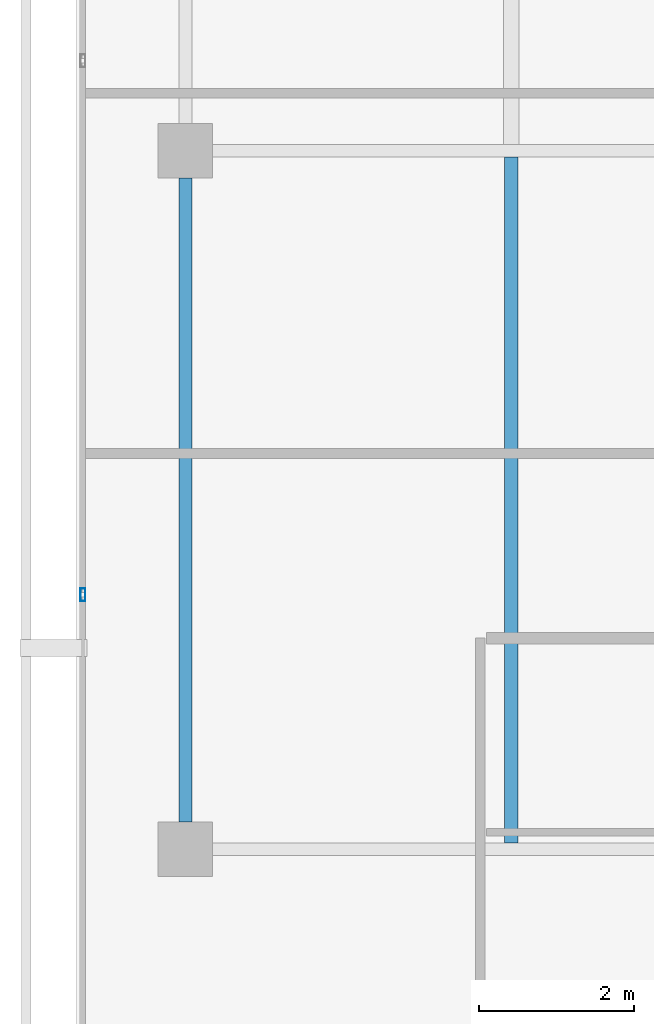
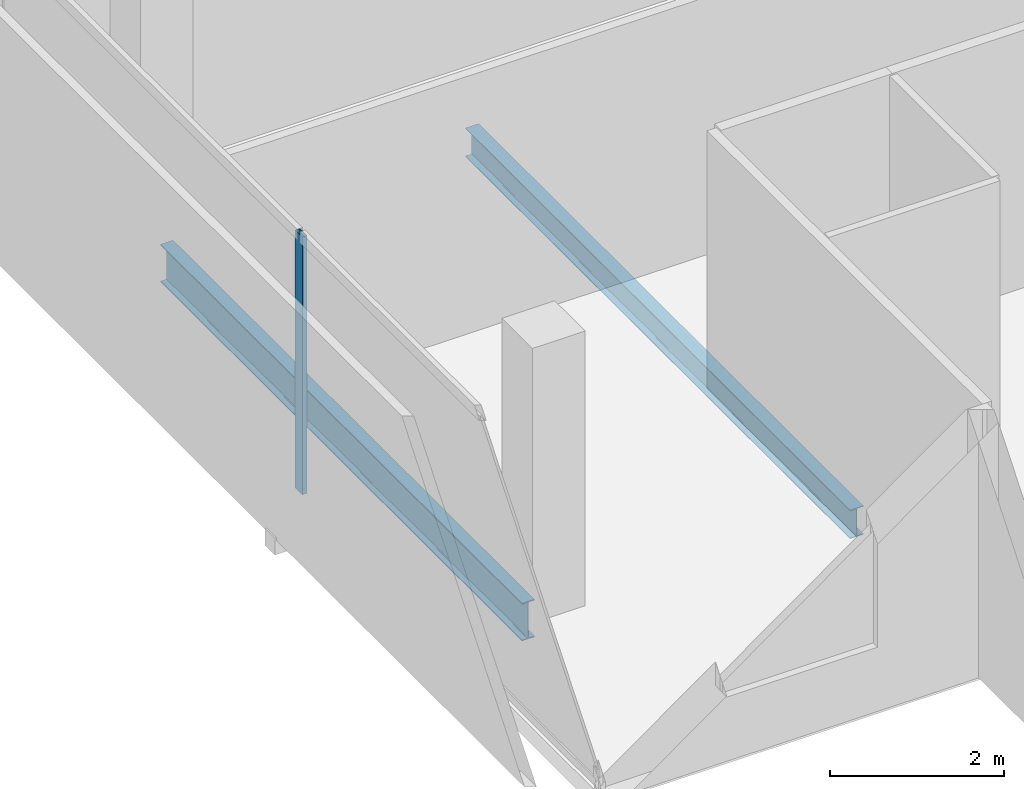
# One storey, part 4 of 25: 2 beams, 1 member, 1 element without a shape of its own.
"""IFC4 building model written with IfcOpenShell, lengths in metres."""

import ifcopenshell
import ifcopenshell.guid

model = None  # the IFC model being written
_history = None  # IfcOwnerHistory: only IFC2X3 demands one
_inside = {}  # id of a spatial element -> (the spatial element, [elements in it])
_under = {}  # id of a project, library or spatial element -> (it, [spatial elements below it])
_declared = {}  # id of a project -> (the project, [libraries it declares])
_typed = {}  # id of a type object -> (the type object, [elements of that type])
_made_of = {}  # id of a material, layer set ... -> (it, [elements and type objects made of it])


def new_model(schema):
    """Start an empty IFC model of exactly this schema.

    Asked for "IFC4X3", IfcOpenShell would pick the latest addendum, in which some entities
    have other attributes; the version numbers below select the first issue.
    IFC2X3 requires an IfcOwnerHistory on every rooted entity: one is made here for all.
    """
    global model, _history
    if schema == "IFC4X3":
        model = ifcopenshell.file(schema_version=(4, 3, 0, 0))
    else:
        model = ifcopenshell.file(schema=schema)
    _inside.clear()
    _under.clear()
    _declared.clear()
    _typed.clear()
    _made_of.clear()
    _history = None
    if model.schema == "IFC2X3":
        org = make("IfcOrganization", Name="unknown")
        user = make(
            "IfcPersonAndOrganization",
            ThePerson=make("IfcPerson", FamilyName="unknown"),
            TheOrganization=org,
        )
        app = make(
            "IfcApplication",
            ApplicationDeveloper=org,
            Version="unknown",
            ApplicationFullName="unknown",
            ApplicationIdentifier="unknown",
        )
        _history = make(
            "IfcOwnerHistory",
            OwningUser=user,
            OwningApplication=app,
            ChangeAction="ADDED",
            CreationDate=0,
        )
    return model


def make(cls, **values):
    """One entity of the class cls with the attributes given. An attribute that is None is left unset."""
    return model.create_entity(
        cls, **{name: value for name, value in values.items() if value is not None}
    )


def rooted(cls, **values):
    """An entity with a GlobalId (a new one), such as an element, a storey or a relation."""
    return make(cls, GlobalId=ifcopenshell.guid.new(), OwnerHistory=_history, **values)


def si_unit(unit_type, name, prefix=None):
    """IfcSIUnit, for example si_unit("LENGTHUNIT", "METRE", prefix="MILLI")."""
    return make("IfcSIUnit", UnitType=unit_type, Prefix=prefix, Name=name)


def assignment(units):
    """IfcUnitAssignment: the units of a project."""
    return None if units is None else make("IfcUnitAssignment", Units=units)


def point(xyz):
    """IfcCartesianPoint."""
    return None if xyz is None else make("IfcCartesianPoint", Coordinates=xyz)


def direction(xyz):
    """IfcDirection."""
    return None if xyz is None else make("IfcDirection", DirectionRatios=xyz)


def frame(location, z_axis=None, x_axis=None):
    """IfcAxis2Placement3D, a coordinate frame: its origin and axes. An axis left out is left unset."""
    return make(
        "IfcAxis2Placement3D",
        Location=point(location),
        Axis=direction(z_axis),
        RefDirection=direction(x_axis),
    )


def frame_2d(location, x_axis=None):
    """IfcAxis2Placement2D, a coordinate frame in the plane: its origin and x axis."""
    return make(
        "IfcAxis2Placement2D", Location=point(location), RefDirection=direction(x_axis)
    )


def origin():
    """The frame at (0, 0, 0) with its axes left unset."""
    return frame((0.0, 0.0, 0.0))


def origin_2d():
    """The frame at (0, 0) in the plane with its x axis left unset."""
    return frame_2d((0.0, 0.0))


def place(relative_to, where):
    """IfcLocalPlacement: puts the frame where relative to a parent placement (None: the world)."""
    return make(
        "IfcLocalPlacement", PlacementRelTo=relative_to, RelativePlacement=where
    )


def context(
    kind, dimensions, precision=None, world=None, true_north=None, identifier=None
):
    """IfcGeometricRepresentationContext, for example the 3D "Model" context."""
    return make(
        "IfcGeometricRepresentationContext",
        ContextIdentifier=identifier,
        ContextType=kind,
        CoordinateSpaceDimension=dimensions,
        Precision=precision,
        WorldCoordinateSystem=world,
        TrueNorth=true_north,
    )


def subcontext(parent, identifier, kind, view, scale=None):
    """IfcGeometricRepresentationSubContext, for example "Body" below "Model"."""
    return make(
        "IfcGeometricRepresentationSubContext",
        ContextIdentifier=identifier,
        ContextType=kind,
        ParentContext=parent,
        TargetScale=scale,
        TargetView=view,
    )


def project(units=None, contexts=None):
    """IfcProject with its units and contexts."""
    return rooted(
        "IfcProject",
        Name="project",
        RepresentationContexts=contexts,
        UnitsInContext=assignment(units),
    )


def spatial(cls, under=None, at=None, **own):
    """A site, building, storey or space (cls), placed at a placement, below another one or the project."""
    s = rooted(cls, ObjectPlacement=at, **own)
    if under is not None:
        _under.setdefault(under.id(), (under, []))[1].append(s)
    return s


def profile(cls, at=None, kind="AREA", **sizes):
    """A parametric profile (cls). Its sizes go by their IFC names, for example OverallWidth=200.0."""
    return make(cls, ProfileType=kind, Position=at, **sizes)


def hollow_rectangle(**sizes):
    """IfcRectangleHollowProfileDef."""
    return profile("IfcRectangleHollowProfileDef", **sizes)


def i_section(**sizes):
    """IfcIShapeProfileDef."""
    return profile("IfcIShapeProfileDef", **sizes)


def extrude(swept, where, along, depth):
    """IfcExtrudedAreaSolid: the profile swept, set in the frame where, extruded along a direction by depth."""
    return make(
        "IfcExtrudedAreaSolid",
        SweptArea=swept,
        Position=where,
        ExtrudedDirection=direction(along),
        Depth=depth,
    )


def shape(context_of_items, identifier, shape_type, items):
    """IfcShapeRepresentation: the items that make up one representation, for example the "Body"."""
    return make(
        "IfcShapeRepresentation",
        ContextOfItems=context_of_items,
        RepresentationIdentifier=identifier,
        RepresentationType=shape_type,
        Items=items,
    )


def material(Name=None, Category=None):
    """IfcMaterial."""
    return make("IfcMaterial", Name=Name, Category=Category)


def layer(
    of_material, thickness, ventilated=None, Name=None, Category=None, Priority=None
):
    """IfcMaterialLayer: one layer of a wall or slab, of a material (None: an air gap)."""
    return make(
        "IfcMaterialLayer",
        Material=of_material,
        LayerThickness=thickness,
        IsVentilated=ventilated,
        Name=Name,
        Category=Category,
        Priority=Priority,
    )


def layer_set(layers, Name=None):
    """IfcMaterialLayerSet."""
    return make("IfcMaterialLayerSet", MaterialLayers=layers, LayerSetName=Name)


def material_profile(
    of_material, cross_section, Name=None, Category=None, Priority=None
):
    """IfcMaterialProfile: a cross section and its material."""
    return make(
        "IfcMaterialProfile",
        Name=Name,
        Material=of_material,
        Profile=cross_section,
        Priority=Priority,
        Category=Category,
    )


def profile_set(profiles, Name=None, composite=None):
    """IfcMaterialProfileSet."""
    return make(
        "IfcMaterialProfileSet",
        Name=Name,
        MaterialProfiles=profiles,
        CompositeProfile=composite,
    )


def made_of(thing, what):
    """Note that an element or type object is made of a material, layer set ...; save() writes the relation."""
    if what is not None:
        _made_of.setdefault(what.id(), (what, []))[1].append(thing)
    return thing


def type_object(cls, material=None, **own):
    """A type object (cls), such as IfcWallType, which elements share."""
    return made_of(rooted(cls, **own), material)


def element(
    cls,
    number,
    at=None,
    inside=None,
    cuts=None,
    type_object=None,
    material=None,
    context=None,
    identifier="Body",
    shape_type=None,
    held_by="IfcProductDefinitionShape",
    body=None,
    shapes=None,
    **own,
):
    """One element of the class cls, such as IfcWall. Its Tag is "e" and its number.

    at: its placement. inside: the storey or other place that contains it. cuts: it is an
    opening in that element (IfcRelVoidsElement). A single representation is given by context,
    identifier, shape_type and body (its items); several are given by shapes. held_by: the class
    of the entity that holds the representations. save() writes the other relations.
    """
    e = rooted(cls, Tag="e%d" % number, ObjectPlacement=at, **own)
    if body is not None:
        shapes = [shape(context, identifier, shape_type, body)]
    if shapes is not None:
        e.Representation = make(held_by, Representations=shapes)
    if inside is not None:
        _inside.setdefault(inside.id(), (inside, []))[1].append(e)
    if cuts is not None:
        rooted(
            "IfcRelVoidsElement", RelatingBuildingElement=cuts, RelatedOpeningElement=e
        )
    if type_object is not None:
        _typed.setdefault(type_object.id(), (type_object, []))[1].append(e)
    return made_of(e, material)


def aggregate(whole, parts):
    """IfcRelAggregates: a whole, such as a stair, and the parts it consists of."""
    return rooted("IfcRelAggregates", RelatingObject=whole, RelatedObjects=parts)


def save(model, path):
    """Write the relations noted so far, then the file.

    IfcRelAggregates (storeys below a building ...), IfcRelContainedInSpatialStructure (elements
    in a storey), IfcRelDefinesByType, IfcRelAssociatesMaterial and IfcRelDeclares: one each for
    every whole, place, type object, material and project.
    """
    for whole, parts in _under.values():
        aggregate(whole, parts)
    for where, things in _inside.values():
        rooted(
            "IfcRelContainedInSpatialStructure",
            RelatedElements=things,
            RelatingStructure=where,
        )
    for kind, things in _typed.values():
        rooted("IfcRelDefinesByType", RelatedObjects=things, RelatingType=kind)
    for what, things in _made_of.values():
        rooted("IfcRelAssociatesMaterial", RelatedObjects=things, RelatingMaterial=what)
    for by, libraries in _declared.values():
        rooted("IfcRelDeclares", RelatingContext=by, RelatedDefinitions=libraries)
    model.write(path)


model = new_model("IFC4")

# Units and contexts
model_context = context("Model", 3, precision=1e-05, world=origin(), true_north=direction((0.0, 1.0)))
body_context = subcontext(model_context, "Body", "Model", "MODEL_VIEW")
ifc_project = project(units=[si_unit("LENGTHUNIT", "METRE"), si_unit("AREAUNIT", "SQUARE_METRE"), si_unit("VOLUMEUNIT", "CUBIC_METRE"), si_unit("PLANEANGLEUNIT", "RADIAN"), si_unit("MASSUNIT", "GRAM", prefix="KILO")], contexts=[model_context])

# Site, building, storey
site_placement = place(None, origin())
site = spatial("IfcSite", under=ifc_project, at=site_placement, CompositionType="ELEMENT")
building_placement = place(site_placement, origin())
building = spatial("IfcBuilding", under=site, at=building_placement, Name="Maruvema Waterfront Hotel and Observation Tower", CompositionType="ELEMENT")
storey_placement = place(building_placement, frame((0.0, 0.0, 281.75)))
storey = spatial("IfcBuildingStorey", under=building, at=storey_placement, Name="L69", CompositionType="ELEMENT", Elevation=281.75)

# Curtain wall, member
ifc_material_1 = material(Name="Anodised bronze aluminium and solar-control low-E IGU", Category="aluminium")
ifc_layer = layer(ifc_material_1, 0.159912109375, Name="Zone 3 Champagne Inner Thermal Curtain Wall System CW-04")
ifc_layer_set = layer_set([ifc_layer], Name="Anodised bronze aluminium and solar-control low-E IGU")
curtain_wall_type = type_object("IfcCurtainWallType", Name="Zone 3 Champagne Inner Thermal Curtain Wall System CW-04", PredefinedType="USERDEFINED", material=ifc_layer_set)
curtain_wall_placement = place(storey_placement, origin())
curtain_wall = element("IfcCurtainWall", 1, at=curtain_wall_placement, inside=storey, type_object=curtain_wall_type, Name="L69 Curtain Wall CW-L69-W", ObjectType="UNITISED CURTAIN WALL", PredefinedType="USERDEFINED")
ifc_material_2 = material(Name="Anodised architectural bronze aluminium", Category="aluminium")
ifc_material_profile_1 = material_profile(ifc_material_2, hollow_rectangle(XDim=0.06494140625, YDim=0.1650390625, WallThickness=0.00390625, at=origin_2d()), Name="ALU-M65x165")
ifc_profile_set_1 = profile_set([ifc_material_profile_1], Name="Anodised architectural bronze aluminium")
member_type = type_object("IfcMemberType", Name="Curtain Wall Primary Mullion ALU-M65x165", PredefinedType="MULLION", material=ifc_profile_set_1)
member_placement = place(storey_placement, frame((15.47998046875, 21.280029296875, 0.0), z_axis=(0.0, 0.0, 1.0), x_axis=(1.0, 0.0, 0.0)))
member = element("IfcMember", 2, at=member_placement, type_object=member_type, Name="CW-04 mullion 5", PredefinedType="MULLION", context=body_context, shape_type="SweptSolid", body=[
    extrude(hollow_rectangle(XDim=0.06494140625, YDim=0.1650390625, WallThickness=0.00390625, at=origin_2d()), origin(), (0.0, 0.0, 1.0), 3.610107421875),
])
aggregate(curtain_wall, [member])

# Beams
ifc_material_3 = material(Name="Steel ASTM A572 Grade 50", Category="steel")
ifc_material_profile_2 = material_profile(ifc_material_3, i_section(OverallWidth=0.166015625, OverallDepth=0.529052734375, WebThickness=0.009765625, FlangeThickness=0.013671875, FilletRadius=0.014892578125, at=origin_2d()), Name="W530x74.0")
ifc_profile_set_2 = profile_set([ifc_material_profile_2], Name="Steel ASTM A572 Grade 50")
beam_type_1 = type_object("IfcBeamType", Name="Primary Floor Girder W530x74.0", PredefinedType="BEAM", material=ifc_profile_set_2)
beam_1_placement = place(storey_placement, frame((16.800048828125, 18.35009765625, -0.50439453125), z_axis=(0.0, 1.0, 0.0), x_axis=(-1.0, 0.0, 0.0)))
element("IfcBeam", 3, at=beam_1_placement, inside=storey, type_object=beam_type_1, Name="L69 Floor Girder NS-01", PredefinedType="BEAM", context=body_context, shape_type="SweptSolid", body=[
    extrude(i_section(OverallWidth=0.166015625, OverallDepth=0.529052734375, WebThickness=0.009765625, FlangeThickness=0.013671875, FilletRadius=0.014892578125, at=origin_2d()), origin(), (0.0, 0.0, 1.0), 8.2998046875),
])
ifc_material_4 = material(Name="Steel ASTM A572 Grade 50", Category="steel")
ifc_material_profile_3 = material_profile(ifc_material_4, i_section(OverallWidth=0.177001953125, OverallDepth=0.403076171875, WebThickness=0.007568359375, FlangeThickness=0.010986328125, FilletRadius=0.014892578125, at=origin_2d()), Name="W410x53.0")
ifc_profile_set_3 = profile_set([ifc_material_profile_3], Name="Steel ASTM A572 Grade 50")
beam_type_2 = type_object("IfcBeamType", Name="Secondary Floor Joist W410x53.0", PredefinedType="JOIST", material=ifc_profile_set_3)
beam_2_placement = place(storey_placement, frame((21.0, 18.0830078125, -0.44140625), z_axis=(0.0, 1.0, 0.0), x_axis=(-1.0, 0.0, 0.0)))
element("IfcBeam", 4, at=beam_2_placement, inside=storey, type_object=beam_type_2, Name="L69 Secondary Floor Joist JS-01", PredefinedType="JOIST", context=body_context, shape_type="SweptSolid", body=[
    extrude(i_section(OverallWidth=0.177001953125, OverallDepth=0.403076171875, WebThickness=0.007568359375, FlangeThickness=0.010986328125, FilletRadius=0.014892578125, at=origin_2d()), origin(), (0.0, 0.0, 1.0), 8.833984375),
])

save(model, "model.ifc")
